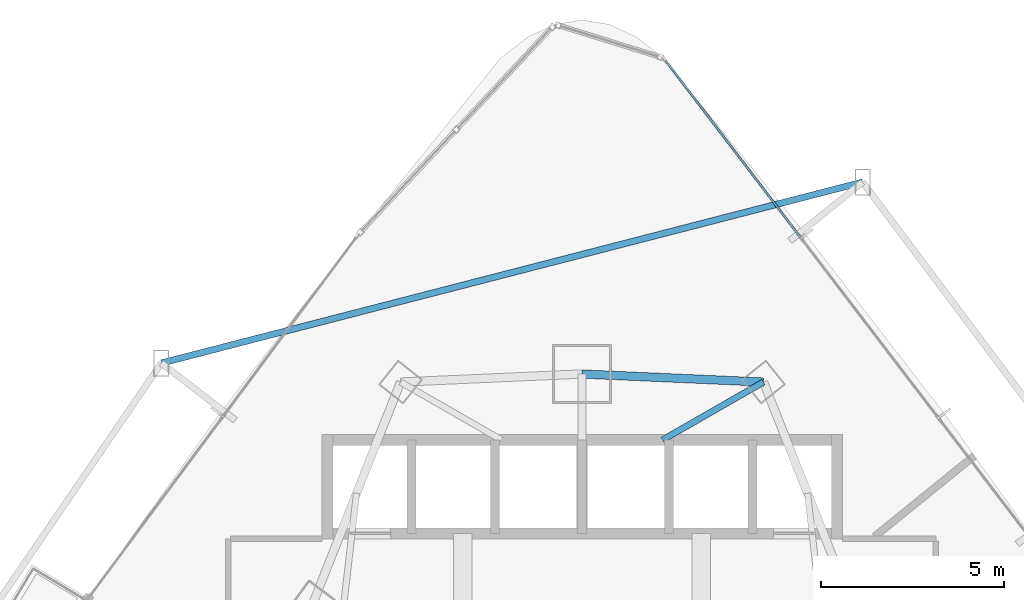
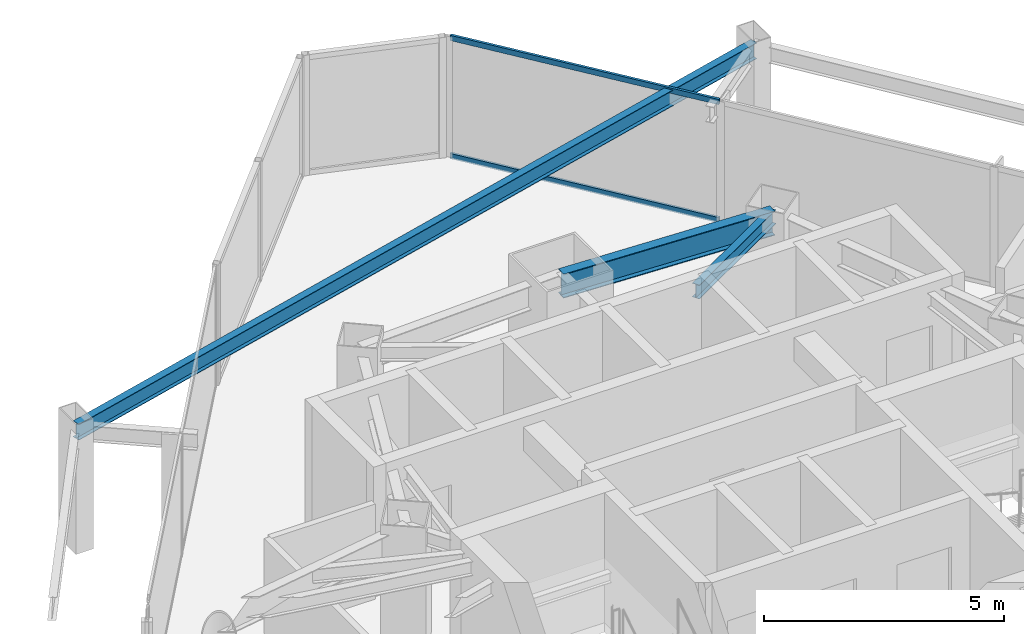
# One storey, part 23 of 34: 3 beams, 2 members, 1 element without a shape of its own.
"""IFC4 building model written with IfcOpenShell, lengths in metres."""

from ifc_helpers import new_model, si_unit, direction, frame, origin, origin_2d, place, context, subcontext, project, spatial, hollow_rectangle, i_section, extrude, material, layer, layer_set, material_profile, profile_set, type_object, element, aggregate, save


model = new_model("IFC4")

# Units and contexts
model_context = context("Model", 3, precision=1e-05, world=origin(), true_north=direction((0.0, 1.0)))
body_context = subcontext(model_context, "Body", "Model", "MODEL_VIEW")
ifc_project = project(units=[si_unit("LENGTHUNIT", "METRE"), si_unit("AREAUNIT", "SQUARE_METRE"), si_unit("VOLUMEUNIT", "CUBIC_METRE"), si_unit("PLANEANGLEUNIT", "RADIAN"), si_unit("MASSUNIT", "GRAM", prefix="KILO")], contexts=[model_context])

# Site, building, storey
site_placement = place(None, origin())
site = spatial("IfcSite", under=ifc_project, at=site_placement, CompositionType="ELEMENT")
building_placement = place(site_placement, origin())
building = spatial("IfcBuilding", under=site, at=building_placement, Name="Orvanel Arch Residences", CompositionType="ELEMENT")
storey_placement = place(building_placement, frame((0.0, 0.0, 77.449951171875)))
storey = spatial("IfcBuildingStorey", under=building, at=storey_placement, Name="L21", CompositionType="ELEMENT", Elevation=77.449951171875)

# Beams
ifc_material_1 = material(Name="Structural steel AS/NZS 3679.1 Grade 300 (300 MPa)", Category="steel")
ifc_material_profile_1 = material_profile(ifc_material_1, i_section(OverallWidth=0.1708984375, OverallDepth=0.35595703125, WebThickness=0.00732421875, FlangeThickness=0.011474609375, at=origin_2d()), Name="360UB50.7")
ifc_profile_set_1 = profile_set([ifc_material_profile_1], Name="Structural steel AS/NZS 3679.1 Grade 300 (300 MPa)")
beam_type_1 = type_object("IfcBeamType", Name="BJ-360UB", PredefinedType="JOIST", material=ifc_profile_set_1)
beam_1_placement = place(storey_placement, frame((35.199951171875, 39.60009765625, 2.882080078125), z_axis=(0.86736513383, 0.497672306458, 0.0), x_axis=(-0.497672306458, 0.86736513383, 0.0)))
element("IfcBeam", 1, at=beam_1_placement, inside=storey, type_object=beam_type_1, Name="L21 MNE Wing Floor Joist", PredefinedType="JOIST", context=body_context, shape_type="SweptSolid", body=[
    extrude(i_section(OverallWidth=0.1708984375, OverallDepth=0.35595703125, WebThickness=0.00732421875, FlangeThickness=0.011474609375, at=origin_2d()), origin(), (0.0, 0.0, 1.0), 3.17041015625),
])
ifc_material_profile_2 = material_profile(ifc_material_1, i_section(OverallWidth=0.177978515625, OverallDepth=0.406005859375, WebThickness=0.0078125, FlangeThickness=0.0126953125, at=origin_2d()), Name="410UB59.7")
ifc_profile_set_2 = profile_set([ifc_material_profile_2], Name="Structural steel AS/NZS 3679.1 Grade 300 (300 MPa)")
beam_type_2 = type_object("IfcBeamType", Name="OB-410UB-EXT", PredefinedType="SPANDREL", material=ifc_profile_set_2)
beam_2_placement = place(storey_placement, frame((40.654052734375, 46.632080078125, 2.85693359375), z_axis=(-0.968283689255, -0.249853351235, 0.0), x_axis=(0.249853351235, -0.968283689255, 0.0)))
element("IfcBeam", 2, at=beam_2_placement, inside=storey, type_object=beam_type_2, Name="L21 Outer Perimeter Floor Ring Beam 12", PredefinedType="SPANDREL", context=body_context, shape_type="SweptSolid", body=[
    extrude(i_section(OverallWidth=0.177978515625, OverallDepth=0.406005859375, WebThickness=0.0078125, FlangeThickness=0.0126953125, at=origin_2d()), origin(), (0.0, 0.0, 1.0), 19.755615234375),
])
ifc_material_profile_3 = material_profile(ifc_material_1, i_section(OverallWidth=0.22900390625, OverallDepth=0.612060546875, WebThickness=0.011962890625, FlangeThickness=0.01953125, at=origin_2d()), Name="610UB125")
ifc_profile_set_3 = profile_set([ifc_material_profile_3], Name="Structural steel AS/NZS 3679.1 Grade 300 (300 MPa)")
beam_type_3 = type_object("IfcBeamType", Name="SP-610UB", PredefinedType="SPANDREL", material=ifc_profile_set_3)
beam_3_placement = place(storey_placement, frame((37.949951171875, 41.177978515625, 2.754150390625), z_axis=(-0.999014049296, 0.044395149614, 0.0), x_axis=(-0.044395149614, -0.999014049296, 0.0)))
element("IfcBeam", 3, at=beam_3_placement, inside=storey, type_object=beam_type_3, Name="L21 Perimeter Spandrel Beam 16", PredefinedType="SPANDREL", context=body_context, shape_type="SweptSolid", body=[
    extrude(i_section(OverallWidth=0.22900390625, OverallDepth=0.612060546875, WebThickness=0.011962890625, FlangeThickness=0.01953125, at=origin_2d()), origin(), (0.0, 0.0, 1.0), 4.954833984375),
])

# Curtain wall, members
ifc_material_2 = material(Name="Bronze-anodised aluminium AA6063-T6", Category="aluminium")
ifc_layer = layer(ifc_material_2, 0.179931640625)
ifc_layer_set = layer_set([ifc_layer], Name="Bronze-anodised aluminium AA6063-T6")
curtain_wall_type = type_object("IfcCurtainWallType", Name="CW2-LOW-SYS", PredefinedType="NOTDEFINED", material=ifc_layer_set)
curtain_wall_placement = place(storey_placement, origin())
curtain_wall = element("IfcCurtainWall", 4, at=curtain_wall_placement, inside=storey, type_object=curtain_wall_type, Name="L21 CW2-LOW-SYS Unitised Curtain Wall", PredefinedType="NOTDEFINED")
ifc_material_profile_4 = material_profile(ifc_material_2, hollow_rectangle(XDim=0.06005859375, YDim=0.135009765625, WallThickness=0.00390625, at=origin_2d()), Name="ALU135x60x4")
ifc_profile_set_4 = profile_set([ifc_material_profile_4], Name="Bronze-anodised aluminium AA6063-T6")
member_type = type_object("IfcMemberType", Name="TRN-135x60", PredefinedType="USERDEFINED", material=ifc_profile_set_4)
member_1_placement = place(storey_placement, frame((38.95751953125, 45.12841796875, 0.030029296875), z_axis=(-0.606952007069, 0.794738485991, 0.0), x_axis=(-0.794738485991, -0.606952007069, 0.0)))
member_1 = element("IfcMember", 5, at=member_1_placement, type_object=member_type, Name="CW-S2 transom 3.1", ObjectType="TRANSOM", PredefinedType="USERDEFINED", context=body_context, shape_type="SweptSolid", body=[
    extrude(hollow_rectangle(XDim=0.06005859375, YDim=0.135009765625, WallThickness=0.00390625, at=origin_2d()), origin(), (0.0, 0.0, 1.0), 6.059814453125),
])
member_2_placement = place(storey_placement, frame((38.95751953125, 45.12841796875, 3.030029296875), z_axis=(-0.606952007069, 0.794738485991, 0.0), x_axis=(-0.794738485991, -0.606952007069, 0.0)))
member_2 = element("IfcMember", 6, at=member_2_placement, type_object=member_type, Name="CW-S2 transom 3.2", ObjectType="TRANSOM", PredefinedType="USERDEFINED", context=body_context, shape_type="SweptSolid", body=[
    extrude(hollow_rectangle(XDim=0.06005859375, YDim=0.135009765625, WallThickness=0.00390625, at=origin_2d()), origin(), (0.0, 0.0, 1.0), 6.059814453125),
])
aggregate(curtain_wall, [member_1, member_2])

save(model, "model.ifc")
